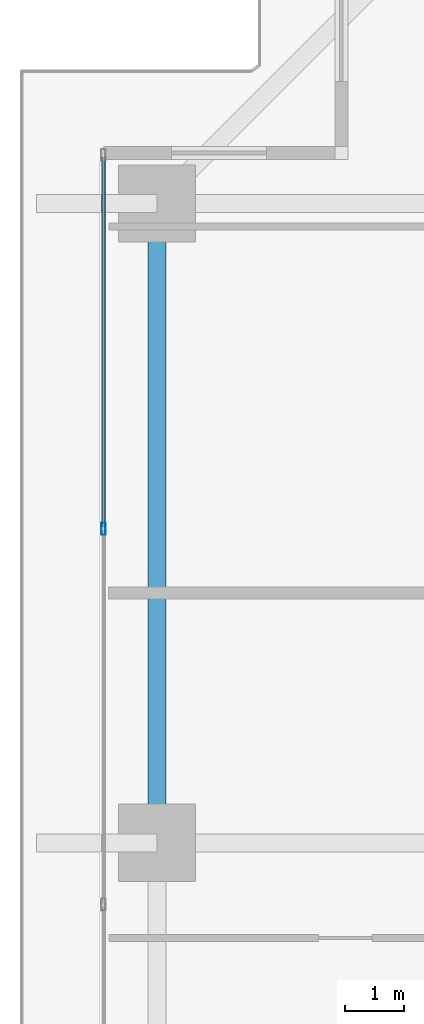
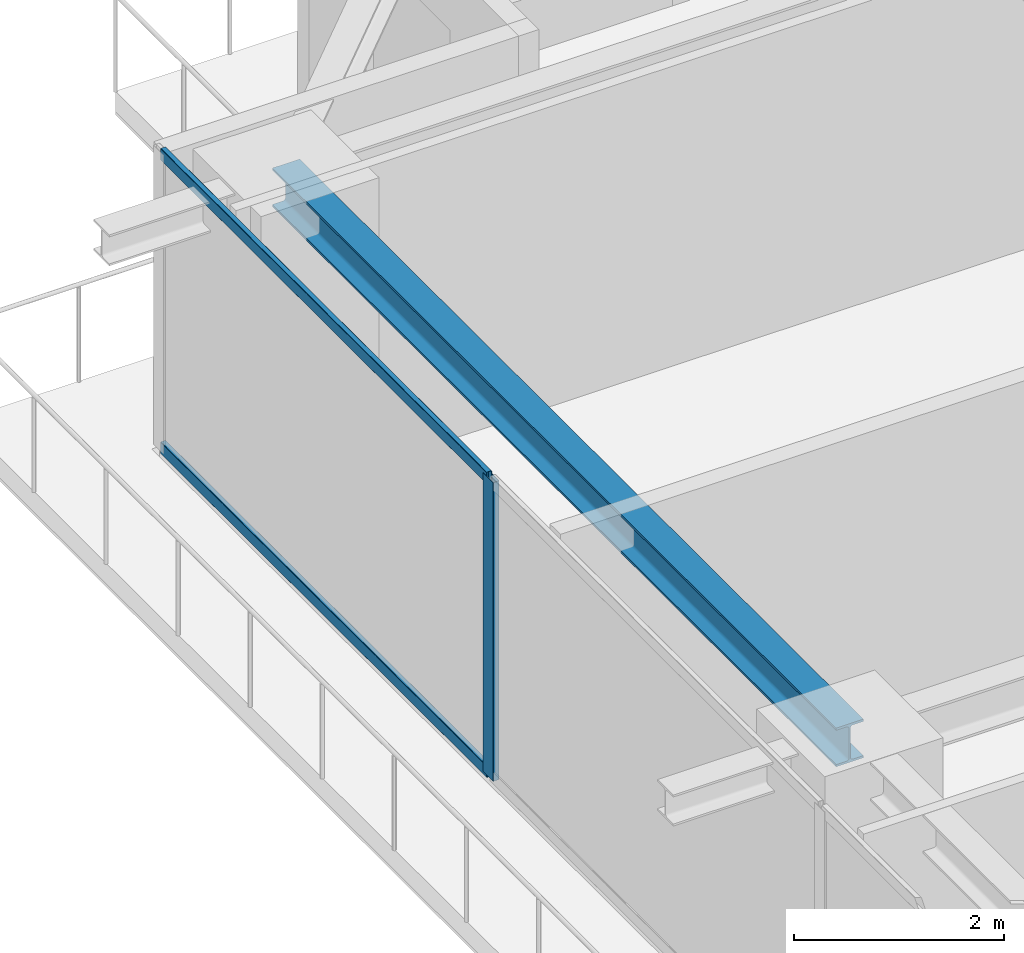
# One storey, part 17 of 38: 3 members, 1 beam, 1 element without a shape of its own.
"""IFC4 building model written with IfcOpenShell, lengths in metres."""

from ifc_helpers import new_model, si_unit, direction, frame, origin, origin_2d, place, context, subcontext, project, spatial, hollow_rectangle, i_section, extrude, source, transform, mapped, material, layer, layer_set, material_profile, profile_set, type_object, element, aggregate, save


model = new_model("IFC4")

# Units and contexts
model_context = context("Model", 3, precision=1e-05, world=origin(), true_north=direction((0.0, 1.0)))
body_context = subcontext(model_context, "Body", "Model", "MODEL_VIEW")
ifc_project = project(units=[si_unit("LENGTHUNIT", "METRE"), si_unit("AREAUNIT", "SQUARE_METRE"), si_unit("VOLUMEUNIT", "CUBIC_METRE"), si_unit("PLANEANGLEUNIT", "RADIAN"), si_unit("MASSUNIT", "GRAM", prefix="KILO")], contexts=[model_context])

# Site, building, storey
site_placement = place(None, origin())
site = spatial("IfcSite", under=ifc_project, at=site_placement, CompositionType="ELEMENT")
building_placement = place(site_placement, origin())
building = spatial("IfcBuilding", under=site, at=building_placement, Name="Serunith Strait Residences", CompositionType="ELEMENT")
storey_placement = place(building_placement, frame((0.0, 0.0, 176.39990234375)))
storey = spatial("IfcBuildingStorey", under=building, at=storey_placement, Name="L44", CompositionType="ELEMENT", Elevation=176.39990234375)

# Beam
ifc_material_1 = material(Name="Steel S355J2", Category="steel")
ifc_material_profile_1 = material_profile(ifc_material_1, i_section(OverallWidth=0.300048828125, OverallDepth=0.449951171875, WebThickness=0.013916015625, FlangeThickness=0.02587890625, FilletRadius=0.027099609375, at=origin_2d()), Name="HEB 450")
ifc_profile_set_1 = profile_set([ifc_material_profile_1], Name="Steel S355J2")
beam_type = type_object("IfcBeamType", Name="BM-HEB450", PredefinedType="BEAM", material=ifc_profile_set_1)
shared_shape_1 = source(origin(), body_context, "Body", "SweptSolid", [
    extrude(i_section(OverallWidth=0.300048828125, OverallDepth=0.449951171875, WebThickness=0.013916015625, FlangeThickness=0.02587890625, FilletRadius=0.027099609375, at=origin_2d()), origin(), (0.0, 0.0, 1.0), 10.75),
])
beam_placement = place(storey_placement, frame((8.699951171875, 40.14990234375, 3.26220703125), z_axis=(0.0, -1.0, 0.0), x_axis=(1.0, 0.0, 0.0)))
element("IfcBeam", 1, at=beam_placement, inside=storey, type_object=beam_type, Name="L44 Perimeter Ring Beam 13", PredefinedType="BEAM", context=body_context, shape_type="MappedRepresentation", body=[
    mapped(shared_shape_1, transform((0.0, 0.0, 0.0), scale=1.0)),
])

# Curtain wall, members
ifc_material_2 = material(Name="Pale-Champagne Anodised Aluminium", Category="aluminium")
ifc_layer = layer(ifc_material_2, 0.199951171875, Name="Pale-Champagne Anodised Aluminium")
ifc_layer_set = layer_set([ifc_layer], Name="Pale-Champagne Anodised Aluminium")
curtain_wall_type = type_object("IfcCurtainWallType", Name="CW-SYS2", PredefinedType="NOTDEFINED", material=ifc_layer_set)
curtain_wall_placement = place(storey_placement, origin())
curtain_wall = element("IfcCurtainWall", 2, at=curtain_wall_placement, inside=storey, type_object=curtain_wall_type, Name="L44 W Unitised Fritted Curtain Wall", PredefinedType="NOTDEFINED")
ifc_material_profile_2 = material_profile(ifc_material_2, hollow_rectangle(XDim=0.070068359375, YDim=0.199951171875, WallThickness=0.00390625, InnerFilletRadius=0.006103515625, OuterFilletRadius=0.010009765625, at=origin_2d()), Name="ALU 200x70x4")
ifc_profile_set_2 = profile_set([ifc_material_profile_2], Name="Pale-Champagne Anodised Aluminium")
member_type_1 = type_object("IfcMemberType", Name="CW-SYS2-MULL", PredefinedType="MULLION", material=ifc_profile_set_2)
shared_shape_2 = source(origin(), body_context, "Body", "SweptSolid", [
    extrude(hollow_rectangle(XDim=0.070068359375, YDim=0.199951171875, WallThickness=0.00390625, InnerFilletRadius=0.006103515625, OuterFilletRadius=0.010009765625, at=origin_2d()), origin(), (0.0, 0.0, 1.0), 3.47509765625),
])
member_1_placement = place(storey_placement, frame((7.800048828125, 34.679931640625, 0.0), z_axis=(0.0, 0.0, 1.0), x_axis=(1.0, 0.0, 0.0)))
member_1 = element("IfcMember", 3, at=member_1_placement, type_object=member_type_1, Name="CW-2 mullion 2", PredefinedType="MULLION", context=body_context, shape_type="MappedRepresentation", body=[
    mapped(shared_shape_2, transform((0.0, 0.0, 0.0), scale=1.0)),
])
ifc_material_profile_3 = material_profile(ifc_material_2, hollow_rectangle(XDim=0.06005859375, YDim=0.139892578125, WallThickness=0.00341796875, InnerFilletRadius=0.00537109375, OuterFilletRadius=0.0087890625, at=origin_2d()), Name="ALU 140x60x3.5")
ifc_profile_set_3 = profile_set([ifc_material_profile_3], Name="Pale-Champagne Anodised Aluminium")
member_type_2 = type_object("IfcMemberType", Name="CW-SYS2-TRAN", PredefinedType="USERDEFINED", material=ifc_profile_set_3)
shared_shape_3 = source(origin(), body_context, "Body", "SweptSolid", [
    extrude(hollow_rectangle(XDim=0.06005859375, YDim=0.139892578125, WallThickness=0.00341796875, InnerFilletRadius=0.00537109375, OuterFilletRadius=0.0087890625, at=origin_2d()), origin(), (0.0, 0.0, 1.0), 6.21484375),
])
member_2_placement = place(storey_placement, frame((7.800048828125, 40.929931640625, 0.030029296875), z_axis=(0.0, -1.0, 0.0), x_axis=(1.0, 0.0, 0.0)))
member_2 = element("IfcMember", 4, at=member_2_placement, type_object=member_type_2, Name="CW-2 transom 1.1", ObjectType="TRANSOM", PredefinedType="USERDEFINED", context=body_context, shape_type="MappedRepresentation", body=[
    mapped(shared_shape_3, transform((0.0, 0.0, 0.0), scale=1.0)),
])
member_3_placement = place(storey_placement, frame((7.800048828125, 40.929931640625, 3.445068359375), z_axis=(0.0, -1.0, 0.0), x_axis=(1.0, 0.0, 0.0)))
member_3 = element("IfcMember", 5, at=member_3_placement, type_object=member_type_2, Name="CW-2 transom 1.2", ObjectType="TRANSOM", PredefinedType="USERDEFINED", context=body_context, shape_type="MappedRepresentation", body=[
    mapped(shared_shape_3, transform((0.0, 0.0, 0.0), scale=1.0)),
])
aggregate(curtain_wall, [member_1, member_2, member_3])

save(model, "model.ifc")
